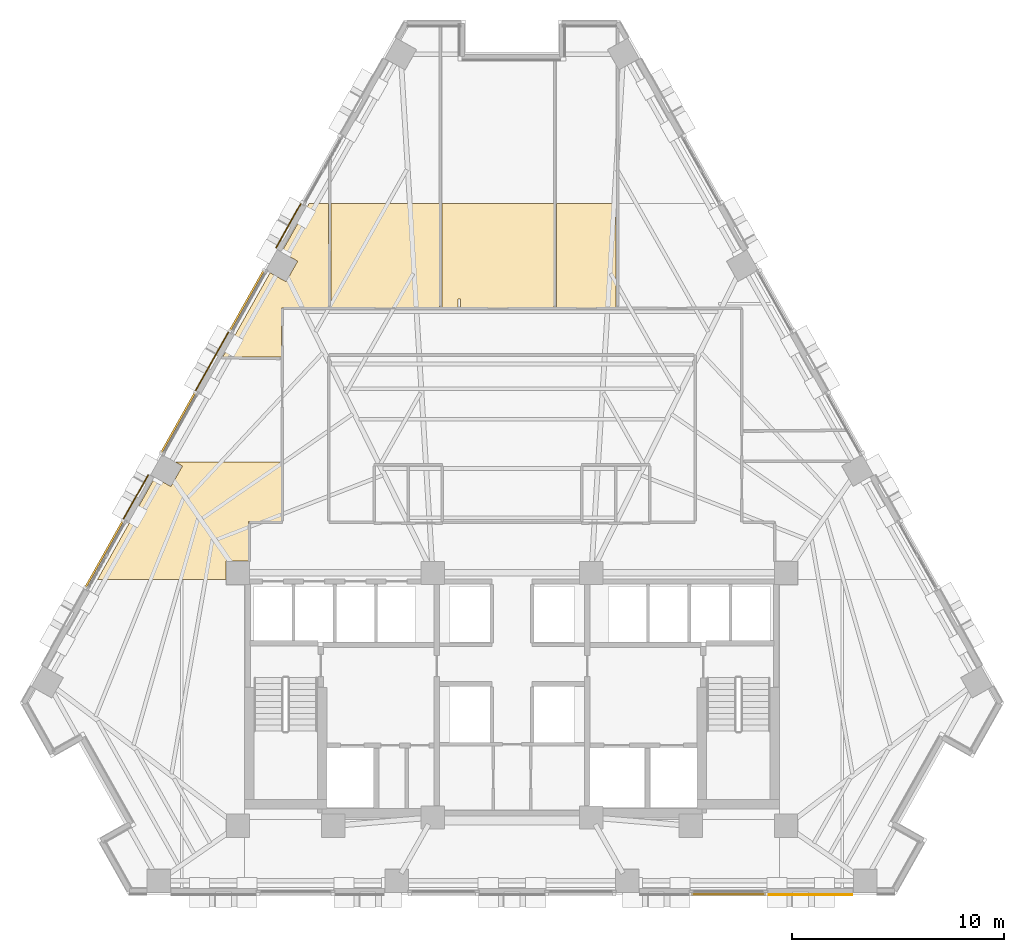
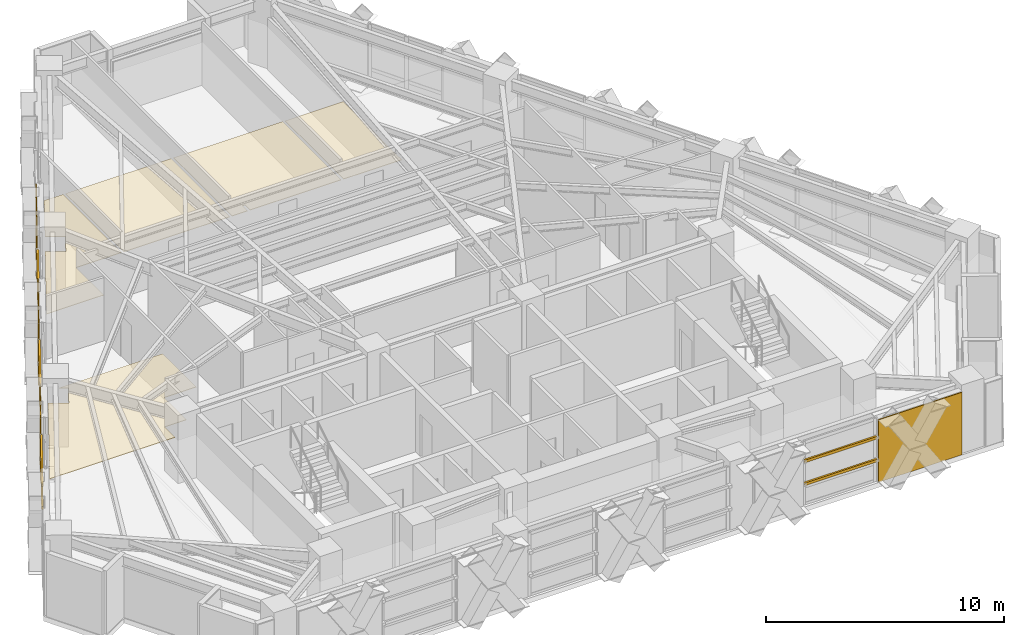
# One storey, part 12 of 14: 9 coverings, 8 shading devices.
"""IFC4 building model written with IfcOpenShell, lengths in metres."""

from ifc_helpers import new_model, si_unit, direction, frame, origin, origin_2d, place, context, subcontext, project, spatial, polyline, rectangle, outline, extrude, material, layer, layer_set, material_profile, profile_set, type_object, element, save


model = new_model("IFC4")

# Units and contexts
model_context = context("Model", 3, precision=1e-05, world=origin(), true_north=direction((0.0, 1.0)))
body_context = subcontext(model_context, "Body", "Model", "MODEL_VIEW")
ifc_project = project(units=[si_unit("LENGTHUNIT", "METRE"), si_unit("AREAUNIT", "SQUARE_METRE"), si_unit("VOLUMEUNIT", "CUBIC_METRE"), si_unit("PLANEANGLEUNIT", "RADIAN"), si_unit("MASSUNIT", "GRAM", prefix="KILO")], contexts=[model_context])

# Site, building, storey
site_placement = place(None, origin())
site = spatial("IfcSite", under=ifc_project, at=site_placement, CompositionType="ELEMENT")
building_placement = place(site_placement, origin())
building = spatial("IfcBuilding", under=site, at=building_placement, Name="Quenlor Broadcast Tower", CompositionType="ELEMENT")
storey_placement = place(building_placement, frame((0.0, 0.0, 80.10009765625)))
storey = spatial("IfcBuildingStorey", under=building, at=storey_placement, Name="L21", CompositionType="ELEMENT", Elevation=80.10009765625)

# Coverings
ifc_material_1 = material(Name="Acoustic Mineral Fibre Board", Category="other")
ifc_layer_1 = layer(ifc_material_1, 0.02490234375)
ifc_layer_set_1 = layer_set([ifc_layer_1], Name="Acoustic Perforated Mineral Tile Ceiling 25")
covering_type_1 = type_object("IfcCoveringType", Name="Acoustic Perforated Mineral Tile Ceiling 25", PredefinedType="CEILING", material=ifc_layer_set_1)
covering_1_placement = place(storey_placement, frame((0.0, 0.0, 2.224853515625)))
element("IfcCovering", 1, at=covering_1_placement, inside=storey, type_object=covering_type_1, Name="L21 Acoustic Ceiling L21-33", PredefinedType="CEILING", context=body_context, shape_type="SweptSolid", body=[
    extrude(outline(polyline([(4.919921875, 7.72998046875), (2.103759765625, 7.72998046875), (2.103759765625, 12.64990234375), (4.919921875, 12.64990234375), (4.919921875, 7.72998046875)])), origin(), (0.0, 0.0, 1.0), 0.025146484375),
])
covering_2_placement = place(storey_placement, frame((0.0, 0.0, 2.224853515625)))
element("IfcCovering", 2, at=covering_2_placement, inside=storey, type_object=covering_type_1, Name="L21 Acoustic Ceiling L21-34", PredefinedType="CEILING", context=body_context, shape_type="SweptSolid", body=[
    extrude(outline(polyline([(-2.56005859375, 7.72998046875), (-3.31005859375, 7.72998046875), (-3.31005859375, 12.64990234375), (1.98388671875, 12.64990234375), (1.98388671875, 7.72998046875), (-2.43994140625, 7.72998046875), (-2.43994140625, 8.14990234375), (-2.56005859375, 8.14990234375), (-2.56005859375, 7.72998046875)])), origin(), (0.0, 0.0, 1.0), 0.025146484375),
])
covering_3_placement = place(storey_placement, frame((0.0, 0.0, 2.224853515625)))
element("IfcCovering", 3, at=covering_3_placement, inside=storey, type_object=covering_type_1, Name="L21 Acoustic Ceiling L21-35", PredefinedType="CEILING", context=body_context, shape_type="SweptSolid", body=[
    extrude(outline(polyline([(-3.429931640625, 7.72998046875), (-8.56005859375, 7.72998046875), (-8.56005859375, 12.64990234375), (-3.429931640625, 12.64990234375), (-3.429931640625, 7.72998046875)])), origin(), (0.0, 0.0, 1.0), 0.025146484375),
])
covering_4_placement = place(storey_placement, frame((0.0, 0.0, 2.224853515625)))
element("IfcCovering", 4, at=covering_4_placement, inside=storey, type_object=covering_type_1, Name="L21 Acoustic Ceiling L21-37", PredefinedType="CEILING", context=body_context, shape_type="SweptSolid", body=[
    extrude(outline(polyline([(-10.8798828125, 5.409912109375), (-13.666748046875, 5.409912109375), (-11.4306640625, 9.38525390625), (-10.674072265625, 8.959716796875), (-10.126953125, 9.9326171875), (-10.883544921875, 10.35791015625), (-9.59423828125, 12.64990234375), (-8.679931640625, 12.64990234375), (-8.679931640625, 7.72998046875), (-10.8798828125, 7.72998046875), (-10.8798828125, 5.409912109375)])), origin(), (0.0, 0.0, 1.0), 0.025146484375),
])
covering_5_placement = place(storey_placement, frame((0.0, 0.0, 2.224853515625)))
element("IfcCovering", 5, at=covering_5_placement, inside=storey, type_object=covering_type_1, Name="L21 Acoustic Ceiling L21-40", PredefinedType="CEILING", context=body_context, shape_type="SweptSolid", body=[
    extrude(outline(polyline([(-16.873779296875, -0.29150390625), (-16.1171875, -0.717041015625), (-15.5703125, 0.255615234375), (-15.909423828125, 0.4462890625), (-10.8798828125, 0.4462890625), (-10.8798828125, -2.3701171875), (-12.43994140625, -2.3701171875), (-12.43994140625, -4.241943359375), (-13.508056640625, -4.241943359375), (-13.508056640625, -5.1201171875), (-15.5400390625, -5.1201171875), (-15.659912109375, -5.1201171875), (-19.58984375, -5.1201171875), (-16.873779296875, -0.29150390625)])), origin(), (0.0, 0.0, 1.0), 0.025146484375),
])

# Shading devices
ifc_material_2 = material(Name="Architectural Terracotta Ceramic", Category="masonry")
ifc_material_profile = material_profile(ifc_material_2, rectangle(XDim=0.090087890625, YDim=0.139892578125, at=origin_2d()))
ifc_profile_set = profile_set([ifc_material_profile], Name="Architectural Terracotta Ceramic BAG90x140")
shading_device_type = type_object("IfcShadingDeviceType", Name="Copper Terracotta Baguette Solar Screen 140", PredefinedType="USERDEFINED", material=ifc_profile_set)
for number, where, z_axis, x_axis, name in (
    (6, (11.981689453125, -19.972900390625, 1.169921875), (-1.0, 0.0, 0.0), (0.0, -1.0, 0.0), "L21 Terracotta Baguette Screen 1"),
    (7, (11.981689453125, -19.972900390625, 2.33984375), (-1.0, 0.0, 0.0), (0.0, -1.0, 0.0), "L21 Terracotta Baguette Screen 2"),
):
    element("IfcShadingDevice", number, at=place(storey_placement, frame(where, z_axis=z_axis, x_axis=x_axis)), inside=storey, type_object=shading_device_type, Name=name, ObjectType="BAGUETTE", PredefinedType="USERDEFINED", context=body_context, shape_type="SweptSolid", body=[
        extrude(rectangle(XDim=0.090087890625, YDim=0.139892578125, at=origin_2d()), origin(), (0.0, 0.0, 1.0), 3.510498046875),
    ])
for number, where, z_axis, x_axis, name in (
    (8, (-20.156005859375, -5.48779296875, 1.169921875), (0.490344725936, 0.871528570815, 0.0), (-0.871528570815, 0.490344725936, 0.0), "L21 Terracotta Baguette Screen 1"),
    (9, (-20.156005859375, -5.48779296875, 2.33984375), (0.490344725936, 0.871528570815, 0.0), (-0.871528570815, 0.490344725936, 0.0), "L21 Terracotta Baguette Screen 2"),
):
    element("IfcShadingDevice", number, at=place(storey_placement, frame(where, z_axis=z_axis, x_axis=x_axis)), inside=storey, type_object=shading_device_type, Name=name, ObjectType="BAGUETTE", PredefinedType="USERDEFINED", context=body_context, shape_type="SweptSolid", body=[
        extrude(rectangle(XDim=0.090087890625, YDim=0.139892578125, at=origin_2d()), origin(), (0.0, 0.0, 1.0), 3.60986328125),
    ])
for number, where, z_axis, x_axis, name in (
    (10, (-16.5751953125, 0.8779296875, 1.169921875), (0.490254145389, 0.871579527599, 0.0), (-0.871579527599, 0.490254145389, 0.0), "L21 Terracotta Baguette Screen 1"),
    (11, (-16.5751953125, 0.8779296875, 2.33984375), (0.490254145389, 0.871579527599, 0.0), (-0.871579527599, 0.490254145389, 0.0), "L21 Terracotta Baguette Screen 2"),
    (12, (-13.32958984375, 6.6474609375, 1.169921875), (0.490254145389, 0.871579527599, 0.0), (-0.871579527599, 0.490254145389, 0.0), "L21 Terracotta Baguette Screen 1"),
    (13, (-13.32958984375, 6.6474609375, 2.33984375), (0.490254145389, 0.871579527599, 0.0), (-0.871579527599, 0.490254145389, 0.0), "L21 Terracotta Baguette Screen 2"),
):
    element("IfcShadingDevice", number, at=place(storey_placement, frame(where, z_axis=z_axis, x_axis=x_axis)), inside=storey, type_object=shading_device_type, Name=name, ObjectType="BAGUETTE", PredefinedType="USERDEFINED", context=body_context, shape_type="SweptSolid", body=[
        extrude(rectangle(XDim=0.090087890625, YDim=0.139892578125, at=origin_2d()), origin(), (0.0, 0.0, 1.0), 3.267822265625),
    ])

# Coverings
ifc_material_3 = material(Name="Architectural Terracotta Ceramic", Category="masonry")
ifc_layer_2 = layer(ifc_material_3, 0.044921875)
ifc_layer_set_2 = layer_set([ifc_layer_2], Name="Fluted Terracotta Rainscreen Cladding Panel")
covering_type_2 = type_object("IfcCoveringType", Name="Fluted Terracotta Rainscreen Cladding Panel", PredefinedType="CLADDING", material=ifc_layer_set_2)
covering_6_placement = place(storey_placement, frame((0.0, 0.0, 0.02001953125)))
element("IfcCovering", 14, at=covering_6_placement, inside=storey, type_object=covering_type_2, Name="L21 Terracotta Rainscreen Cladding L21-SA-SP1", PredefinedType="CLADDING", context=body_context, shape_type="SweptSolid", body=[
    extrude(outline(polyline([(16.08740234375, -19.971923828125), (12.04931640625, -19.971923828125), (12.04931640625, -20.01708984375), (16.08740234375, -20.01708984375), (16.08740234375, -19.971923828125)])), origin(), (0.0, 0.0, 1.0), 3.2099609375),
])
covering_7_placement = place(storey_placement, frame((0.0, 0.0, 0.02001953125)))
element("IfcCovering", 15, at=covering_7_placement, inside=storey, type_object=covering_type_2, Name="L21 Terracotta Rainscreen Cladding L21-NWA-SP2", PredefinedType="CLADDING", context=body_context, shape_type="SweptSolid", body=[
    extrude(outline(polyline([(-18.35205078125, -2.283203125), (-17.168701171875, -0.179443359375), (-17.2080078125, -0.157470703125), (-18.391357421875, -2.26123046875), (-18.35205078125, -2.283203125)])), origin(), (0.0, 0.0, 1.0), 3.2099609375),
])
covering_8_placement = place(storey_placement, frame((0.0, 0.0, 0.02001953125)))
element("IfcCovering", 16, at=covering_8_placement, inside=storey, type_object=covering_type_2, Name="L21 Terracotta Rainscreen Cladding L21-NWC-SP1", PredefinedType="CLADDING", context=body_context, shape_type="SweptSolid", body=[
    extrude(outline(polyline([(-11.13232421875, 10.552001953125), (-9.948974609375, 12.656005859375), (-9.98828125, 12.677978515625), (-11.171630859375, 10.57421875), (-11.13232421875, 10.552001953125)])), origin(), (0.0, 0.0, 1.0), 3.2099609375),
])
covering_9_placement = place(storey_placement, frame((0.0, 0.0, 0.02001953125)))
element("IfcCovering", 17, at=covering_9_placement, inside=storey, type_object=covering_type_2, Name="L21 Terracotta Rainscreen Cladding L21-NW-SP1", PredefinedType="CLADDING", context=body_context, shape_type="SweptSolid", body=[
    extrude(outline(polyline([(-14.939208984375, 3.784423828125), (-13.362060546875, 6.588134765625), (-13.401123046875, 6.610107421875), (-14.978515625, 3.806396484375), (-14.939208984375, 3.784423828125)])), origin(), (0.0, 0.0, 1.0), 3.2099609375),
])

save(model, "model.ifc")
